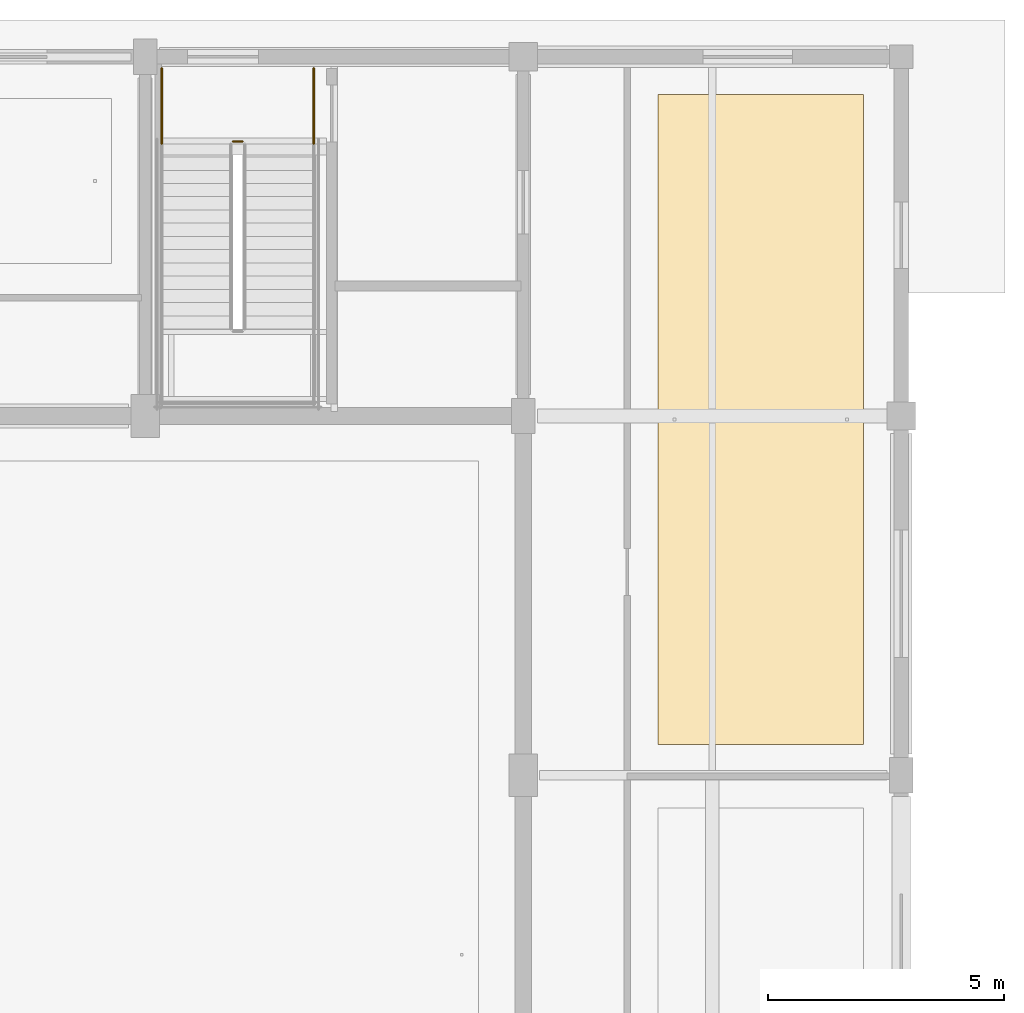
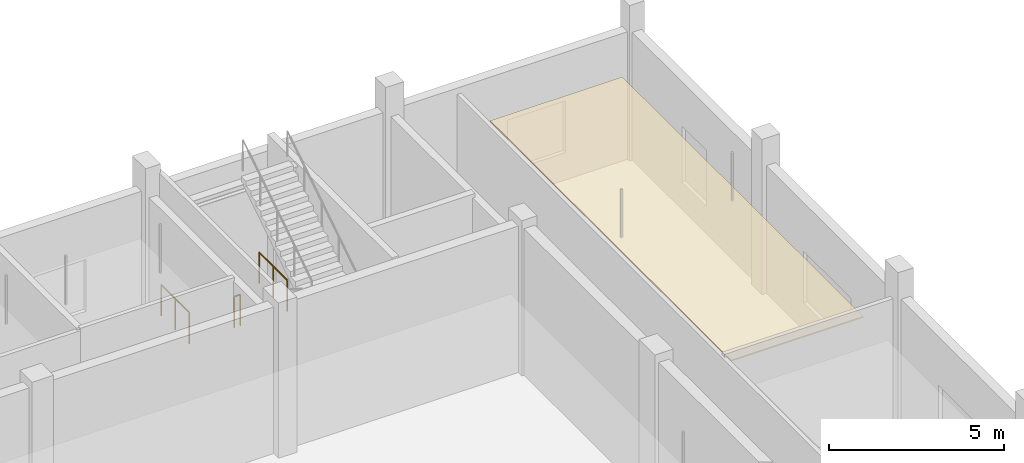
# One storey, part 119 of 126: 3 railings, 1 covering.
"""IFC4 building model written with IfcOpenShell, lengths in metres."""

from ifc_helpers import new_model, si_unit, direction, frame, origin, origin_2d, place, context, subcontext, project, spatial, polyline, circle, outline, extrude, material, layer, layer_set, type_object, element, save


model = new_model("IFC4")

# Units and contexts
model_context = context("Model", 3, precision=1e-05, world=origin(), true_north=direction((0.0, 1.0)))
body_context = subcontext(model_context, "Body", "Model", "MODEL_VIEW")
ifc_project = project(units=[si_unit("LENGTHUNIT", "METRE"), si_unit("AREAUNIT", "SQUARE_METRE"), si_unit("VOLUMEUNIT", "CUBIC_METRE"), si_unit("PLANEANGLEUNIT", "RADIAN"), si_unit("MASSUNIT", "GRAM", prefix="KILO")], contexts=[model_context])

# Site, building, storey
site_placement = place(None, origin())
site = spatial("IfcSite", under=ifc_project, at=site_placement, CompositionType="ELEMENT")
building_placement = place(site_placement, origin())
building = spatial("IfcBuilding", under=site, at=building_placement, Name="Khelvaren Railside Concert Hall", CompositionType="ELEMENT")
storey_placement = place(building_placement, origin())
storey = spatial("IfcBuildingStorey", under=building, at=storey_placement, Name="L00", CompositionType="ELEMENT", Elevation=0.0)

# Covering
ifc_material_1 = material(Name="Mineral-wool acoustic baffle ceiling", Category="gypsum")
ifc_layer = layer(ifc_material_1, 0.0400390625)
ifc_layer_set = layer_set([ifc_layer], Name="Mineral-wool acoustic baffle ceiling")
covering_type = type_object("IfcCoveringType", Name="CLG20", PredefinedType="CEILING", material=ifc_layer_set)
covering_placement = place(storey_placement, frame((0.0, 0.0, 3.409912109375)))
element("IfcCovering", 1, at=covering_placement, inside=storey, type_object=covering_type, Name="Suspended Acoustic Ceiling Early-Music Manuscript Preparation Room L00", PredefinedType="CEILING", context=body_context, shape_type="SweptSolid", body=[
    extrude(outline(polyline([(42.85009765625, 99.449951171875), (47.199951171875, 99.449951171875), (47.199951171875, 113.199951171875), (42.85009765625, 113.199951171875), (42.85009765625, 99.449951171875)])), origin(), (0.0, 0.0, 1.0), 0.0400390625),
])

# Railings
ifc_material_2 = material(Name="Painted architectural steel", Category="steel")
railing_type = type_object("IfcRailingType", Name="GRD86", PredefinedType="GUARDRAIL", material=ifc_material_2)
railing_placement = place(storey_placement, frame((33.860107421875, 112.2099609375, 0.0)))
element("IfcRailing", 2, at=railing_placement, inside=storey, type_object=railing_type, Name="L00 ST-08 stair guard 7", PredefinedType="GUARDRAIL", context=body_context, shape_type="SweptSolid", body=[
    extrude(circle(Radius=0.02392578125, at=origin_2d()), frame((0.0, 0.0, 1.076171875), z_axis=(1.0, 0.0, 0.0), x_axis=(0.0, 1.0, 0.0)), (0.0, 0.0, 1.0), 0.199951171875),
    extrude(circle(Radius=0.02099609375, at=origin_2d()), origin(), (0.0, 0.0, 1.0), 1.052001953125),
    extrude(circle(Radius=0.02099609375, at=origin_2d()), frame((0.199951171875, 0.0, 0.0)), (0.0, 0.0, 1.0), 1.052001953125),
])
for number, where, name in (
    (3, (32.35009765625, 113.760009765625, 0.0), "L00 ST-08 stair guard 8"),
    (4, (35.570068359375, 113.760009765625, 0.0), "L00 ST-08 stair guard 9"),
):
    element("IfcRailing", number, at=place(storey_placement, frame(where)), inside=storey, type_object=railing_type, Name=name, PredefinedType="GUARDRAIL", context=body_context, shape_type="SweptSolid", body=[
        extrude(circle(Radius=0.02392578125, at=origin_2d()), frame((0.0, 0.0, 1.076171875), z_axis=(0.0, -1.0, 0.0), x_axis=(1.0, 0.0, 0.0)), (0.0, 0.0, 1.0), 1.60009765625),
        extrude(circle(Radius=0.02099609375, at=origin_2d()), origin(), (0.0, 0.0, 1.0), 1.052001953125),
        extrude(circle(Radius=0.02099609375, at=origin_2d()), frame((0.0, -0.800048828125, 0.0)), (0.0, 0.0, 1.0), 1.052001953125),
        extrude(circle(Radius=0.02099609375, at=origin_2d()), frame((0.0, -1.60009765625, 0.0)), (0.0, 0.0, 1.0), 1.052001953125),
    ])

save(model, "model.ifc")
